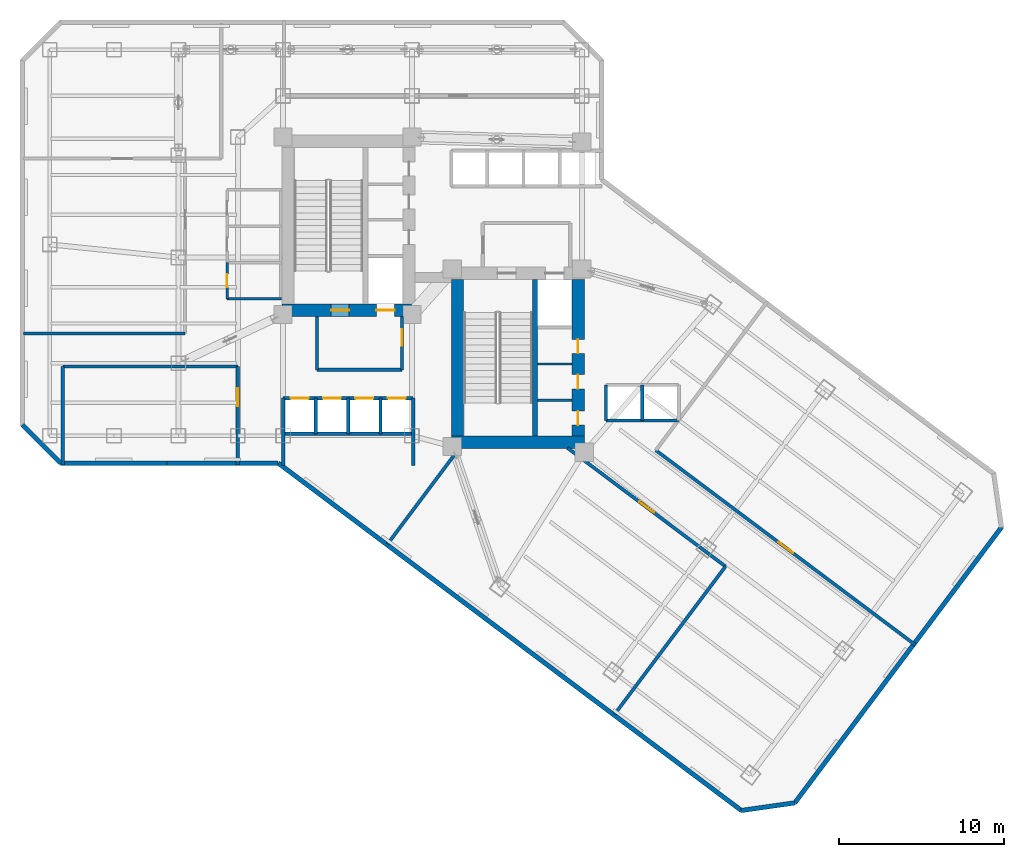
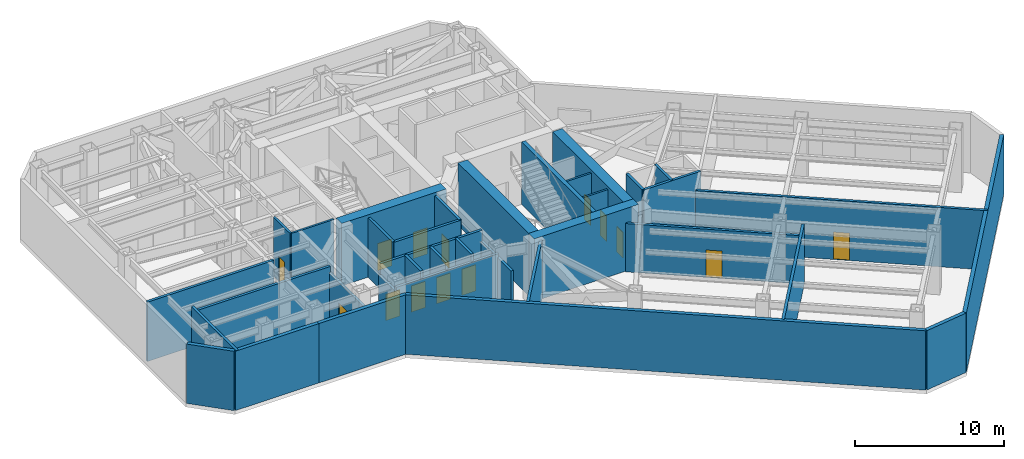
# One storey, part 8 of 14: 36 walls, 14 doors, 14 openings.
"""IFC4 building model written with IfcOpenShell, lengths in metres."""

from ifc_helpers import new_model, si_unit, direction, frame, frame_2d, origin, place, context, subcontext, project, spatial, rectangle, extrude, material, layer, layer_set, type_object, element, fill, save


model = new_model("IFC4")

# Units and contexts
model_context = context("Model", 3, precision=1e-05, world=origin(), true_north=direction((0.0, 1.0)))
body_context = subcontext(model_context, "Body", "Model", "MODEL_VIEW")
ifc_project = project(units=[si_unit("LENGTHUNIT", "METRE"), si_unit("AREAUNIT", "SQUARE_METRE"), si_unit("VOLUMEUNIT", "CUBIC_METRE"), si_unit("PLANEANGLEUNIT", "RADIAN"), si_unit("MASSUNIT", "GRAM", prefix="KILO")], contexts=[model_context])

# Site, building, storey
site_placement = place(None, origin())
site = spatial("IfcSite", under=ifc_project, at=site_placement, CompositionType="ELEMENT")
building_placement = place(site_placement, origin())
building = spatial("IfcBuilding", under=site, at=building_placement, Name="Hatsunagi Terrace Concourse", CompositionType="ELEMENT")
storey_placement = place(building_placement, frame((0.0, 0.0, 91.35009765625)))
storey = spatial("IfcBuildingStorey", under=building, at=storey_placement, Name="L24", CompositionType="ELEMENT", Elevation=91.35009765625)

# Wall, openings, doors
ifc_material_1 = material(Name="Concrete Fc60", Category="concrete")
ifc_layer_1 = layer(ifc_material_1, 0.75)
ifc_layer_set_1 = layer_set([ifc_layer_1], Name="CoreShearWall_Fc60_750")
wall_type_1 = type_object("IfcWallType", Name="CoreShearWall_Fc60_750", PredefinedType="SHEAR", material=ifc_layer_set_1)
wall_1_placement = place(storey_placement, frame((25.469970703125, 32.81494140625, 0.0), z_axis=(0.0, 0.0, 1.0), x_axis=(1.0, 0.0, 0.0)))
wall_1 = element("IfcWall", 1, at=wall_1_placement, inside=storey, type_object=wall_type_1, Name="Core A Shear Wall S L24", PredefinedType="SHEAR", context=body_context, shape_type="SweptSolid", body=[
    extrude(rectangle(XDim=8.080078125, YDim=0.75, at=frame_2d((4.0400390625, 0.0))), origin(), (0.0, 0.0, 1.0), 5.099853515625),
])
opening_1_placement = place(wall_1_placement, frame((2.97998046875, 0.0, 0.0)))
opening_1 = element("IfcOpeningElement", 2, at=opening_1_placement, cuts=wall_1, Name="Opening DR-110S", PredefinedType="OPENING", context=body_context, shape_type="SweptSolid", body=[
    extrude(rectangle(XDim=1.10009765625, YDim=2.199951171875, at=frame_2d((0.550048828125, 1.10009765625))), frame((0.0, 0.385009765625, 0.0), z_axis=(0.0, -1.0, 0.0), x_axis=(1.0, 0.0, 0.0)), (0.0, 0.0, 1.0), 0.77001953125),
])
opening_2_placement = place(wall_1_placement, frame((5.72998046875, 0.0, 0.0)))
opening_2 = element("IfcOpeningElement", 3, at=opening_2_placement, cuts=wall_1, Name="Opening LD-01", PredefinedType="OPENING", context=body_context, shape_type="SweptSolid", body=[
    extrude(rectangle(XDim=1.10009765625, YDim=2.14990234375, at=frame_2d((0.550048828125, 1.074951171875))), frame((0.0, 0.385009765625, 0.0), z_axis=(0.0, -1.0, 0.0), x_axis=(1.0, 0.0, 0.0)), (0.0, 0.0, 1.0), 0.77001953125),
])
ifc_material_2 = material(Name="Stainless steel", Category="steel")
door_type_1 = type_object("IfcDoorType", Name="LiftLandingDoor_LD01", OperationType="SLIDING_TO_LEFT", PredefinedType="USERDEFINED", material=ifc_material_2)
door_1_placement = place(opening_2_placement, origin())
door_1 = element("IfcDoor", 4, at=door_1_placement, inside=storey, type_object=door_type_1, Name="Lift landing door FF-01 L24", ObjectType="SLIDING_LANDING_DOOR", OperationType="SLIDING_TO_LEFT", OverallHeight=2.14990234375, OverallWidth=1.10009765625, PredefinedType="USERDEFINED", context=body_context, shape_type="SweptSolid", body=[
    extrude(rectangle(XDim=1.10009765625, YDim=2.14990234375, at=frame_2d((0.550048828125, 1.074951171875))), frame((0.0, 0.02490234375, 0.0), z_axis=(0.0, -1.0, 0.0), x_axis=(1.0, 0.0, 0.0)), (0.0, 0.0, 1.0), 0.050048828125),
])
fill(opening_2, door_1)
ifc_material_3 = material(Name="Painted steel", Category="steel")
door_type_2 = type_object("IfcDoorType", Name="StairFireDoor_EI60_1100", OperationType="NOTDEFINED", PredefinedType="DOOR", material=ifc_material_3)
door_2_placement = place(opening_1_placement, origin())
door_2 = element("IfcDoor", 5, at=door_2_placement, inside=storey, type_object=door_type_2, Name="Stair ST-A Exit Door L24", OperationType="SINGLE_SWING_LEFT", OverallHeight=2.199951171875, OverallWidth=1.10009765625, PredefinedType="DOOR", context=body_context, shape_type="SweptSolid", body=[
    extrude(rectangle(XDim=1.10009765625, YDim=2.199951171875, at=frame_2d((0.550048828125, 1.10009765625))), frame((0.0, 0.02490234375, 0.0), z_axis=(0.0, -1.0, 0.0), x_axis=(1.0, 0.0, 0.0)), (0.0, 0.0, 1.0), 0.050048828125),
])
fill(opening_1, door_2)

# Walls
wall_2_placement = place(storey_placement, frame((35.739990234375, 24.81494140625, 0.0), z_axis=(0.0, 0.0, 1.0), x_axis=(1.0, 0.0, 0.0)))
element("IfcWall", 6, at=wall_2_placement, inside=storey, type_object=wall_type_1, Name="Core B Shear Wall S L24", PredefinedType="SHEAR", context=body_context, shape_type="SweptSolid", body=[
    extrude(rectangle(XDim=8.06005859375, YDim=0.75, at=frame_2d((4.030029296875, 0.0))), origin(), (0.0, 0.0, 1.0), 5.099853515625),
])
wall_3_placement = place(storey_placement, frame((36.114990234375, 25.18994140625, 0.0), z_axis=(0.0, 0.0, 1.0), x_axis=(0.0, 1.0, 0.0)))
element("IfcWall", 7, at=wall_3_placement, inside=storey, type_object=wall_type_1, Name="Core B Shear Wall W L24", PredefinedType="SHEAR", context=body_context, shape_type="SweptSolid", body=[
    extrude(rectangle(XDim=9.47998046875, YDim=0.75, at=frame_2d((4.739990234375, 0.0))), origin(), (0.0, 0.0, 1.0), 5.099853515625),
])

# Wall, openings, doors
wall_4_placement = place(storey_placement, frame((43.425048828125, 25.18994140625, 0.0), z_axis=(0.0, 0.0, 1.0), x_axis=(0.0, 1.0, 0.0)))
wall_4 = element("IfcWall", 8, at=wall_4_placement, inside=storey, type_object=wall_type_1, Name="Core B Shear Wall E L24", PredefinedType="SHEAR", context=body_context, shape_type="SweptSolid", body=[
    extrude(rectangle(XDim=9.47998046875, YDim=0.75, at=frame_2d((4.739990234375, 0.0))), origin(), (0.0, 0.0, 1.0), 5.099853515625),
])
opening_3_placement = place(wall_4_placement, frame((0.659912109375, 0.0, 0.0)))
opening_3 = element("IfcOpeningElement", 9, at=opening_3_placement, cuts=wall_4, Name="Opening DR-085", PredefinedType="OPENING", context=body_context, shape_type="SweptSolid", body=[
    extrude(rectangle(XDim=0.85009765625, YDim=2.080078125, at=frame_2d((0.425048828125, 1.0400390625))), frame((0.0, 0.385009765625, 0.0), z_axis=(0.0, -1.0, 0.0), x_axis=(1.0, 0.0, 0.0)), (0.0, 0.0, 1.0), 0.77001953125),
])
opening_4_placement = place(wall_4_placement, frame((2.860107421875, 0.0, 0.0)))
opening_4 = element("IfcOpeningElement", 10, at=opening_4_placement, cuts=wall_4, Name="Opening DR-085", PredefinedType="OPENING", context=body_context, shape_type="SweptSolid", body=[
    extrude(rectangle(XDim=0.85009765625, YDim=2.080078125, at=frame_2d((0.425048828125, 1.0400390625))), frame((0.0, 0.385009765625, 0.0), z_axis=(0.0, -1.0, 0.0), x_axis=(1.0, 0.0, 0.0)), (0.0, 0.0, 1.0), 0.77001953125),
])
opening_5_placement = place(wall_4_placement, frame((5.010009765625, 0.0, 0.0)))
opening_5 = element("IfcOpeningElement", 11, at=opening_5_placement, cuts=wall_4, Name="Opening DR-085", PredefinedType="OPENING", context=body_context, shape_type="SweptSolid", body=[
    extrude(rectangle(XDim=0.85009765625, YDim=2.080078125, at=frame_2d((0.425048828125, 1.0400390625))), frame((0.0, 0.385009765625, 0.0), z_axis=(0.0, -1.0, 0.0), x_axis=(1.0, 0.0, 0.0)), (0.0, 0.0, 1.0), 0.77001953125),
])
ifc_material_4 = material(Name="Painted steel", Category="steel")
door_type_3 = type_object("IfcDoorType", Name="RiserAccessDoor_EI60_850", OperationType="NOTDEFINED", PredefinedType="DOOR", material=ifc_material_4)
door_3_placement = place(opening_3_placement, origin())
door_3 = element("IfcDoor", 12, at=door_3_placement, inside=storey, type_object=door_type_3, Name="Core B Riser Door L24-1", OperationType="SINGLE_SWING_RIGHT", OverallHeight=2.080078125, OverallWidth=0.85009765625, PredefinedType="DOOR", context=body_context, shape_type="SweptSolid", body=[
    extrude(rectangle(XDim=0.85009765625, YDim=2.080078125, at=frame_2d((0.425048828125, 1.0400390625))), frame((0.0, 0.02490234375, 0.0), z_axis=(0.0, -1.0, 0.0), x_axis=(1.0, 0.0, 0.0)), (0.0, 0.0, 1.0), 0.050048828125),
])
fill(opening_3, door_3)
door_4_placement = place(opening_4_placement, origin())
door_4 = element("IfcDoor", 13, at=door_4_placement, inside=storey, type_object=door_type_3, Name="Core B Riser Door L24-2", OperationType="SINGLE_SWING_RIGHT", OverallHeight=2.080078125, OverallWidth=0.85009765625, PredefinedType="DOOR", context=body_context, shape_type="SweptSolid", body=[
    extrude(rectangle(XDim=0.85009765625, YDim=2.080078125, at=frame_2d((0.425048828125, 1.0400390625))), frame((0.0, 0.02490234375, 0.0), z_axis=(0.0, -1.0, 0.0), x_axis=(1.0, 0.0, 0.0)), (0.0, 0.0, 1.0), 0.050048828125),
])
fill(opening_4, door_4)
door_5_placement = place(opening_5_placement, origin())
door_5 = element("IfcDoor", 14, at=door_5_placement, inside=storey, type_object=door_type_3, Name="Core B Riser Door L24-3", OperationType="SINGLE_SWING_RIGHT", OverallHeight=2.080078125, OverallWidth=0.85009765625, PredefinedType="DOOR", context=body_context, shape_type="SweptSolid", body=[
    extrude(rectangle(XDim=0.85009765625, YDim=2.080078125, at=frame_2d((0.425048828125, 1.0400390625))), frame((0.0, 0.02490234375, 0.0), z_axis=(0.0, -1.0, 0.0), x_axis=(1.0, 0.0, 0.0)), (0.0, 0.0, 1.0), 0.050048828125),
])
fill(opening_5, door_5)

# Walls
ifc_material_5 = material(Name="Concrete Fc48", Category="concrete")
ifc_layer_2 = layer(ifc_material_5, 0.300048828125)
ifc_layer_set_2 = layer_set([ifc_layer_2], Name="CoreStairDivider_Fc48_300")
wall_type_2 = type_object("IfcWallType", Name="CoreStairDivider_Fc48_300", PredefinedType="SHEAR", material=ifc_layer_set_2)
wall_5_placement = place(storey_placement, frame((40.81005859375, 25.18994140625, 0.0), z_axis=(0.0, 0.0, 1.0), x_axis=(0.0, 1.0, 0.0)))
element("IfcWall", 15, at=wall_5_placement, inside=storey, type_object=wall_type_2, Name="Core B Shear Wall D L24", PredefinedType="SHEAR", context=body_context, shape_type="SweptSolid", body=[
    extrude(rectangle(XDim=9.47998046875, YDim=0.300048828125, at=frame_2d((4.739990234375, 0.0))), origin(), (0.0, 0.0, 1.0), 5.099853515625),
])
ifc_material_6 = material(Name="Acoustic mineral board", Category="gypsum")
ifc_layer_3 = layer(ifc_material_6, 0.14990234375)
ifc_layer_set_3 = layer_set([ifc_layer_3], Name="PartitionWall_EI60_150")
wall_type_3 = type_object("IfcWallType", Name="PartitionWall_EI60_150", PredefinedType="PARTITIONING", material=ifc_layer_set_3)
for number, where, z_axis, x_axis, name in (
    (16, (40.969970703125, 27.35009765625, 0.0), (0.0, 0.0, 1.0), (1.0, 0.0, 0.0), "Interior Partition IW-L24-005"),
    (17, (40.969970703125, 29.550048828125, 0.0), (0.0, 0.0, 1.0), (1.0, 0.0, 0.0), "Interior Partition IW-L24-006"),
):
    element("IfcWall", number, at=place(storey_placement, frame(where, z_axis=z_axis, x_axis=x_axis)), inside=storey, type_object=wall_type_3, Name=name, PredefinedType="PARTITIONING", context=body_context, shape_type="SweptSolid", body=[
        extrude(rectangle(XDim=2.080078125, YDim=0.14990234375, at=frame_2d((1.0400390625, 0.0))), origin(), (0.0, 0.0, 1.0), 4.849853515625),
    ])
wall_6_placement = place(storey_placement, frame((22.14990234375, 33.5, 0.0), z_axis=(0.0, 0.0, 1.0), x_axis=(1.0, 0.0, 0.0)))
element("IfcWall", 18, at=wall_6_placement, inside=storey, type_object=wall_type_3, Name="Interior Partition IW-L24-031", PredefinedType="PARTITIONING", context=body_context, shape_type="SweptSolid", body=[
    extrude(rectangle(XDim=3.300048828125, YDim=0.14990234375, at=frame_2d((1.64990234375, 0.0))), origin(), (0.0, 0.0, 1.0), 4.849853515625),
])

# Wall, opening, door
wall_7_placement = place(storey_placement, frame((22.14990234375, 33.5, 0.0), z_axis=(0.0, 0.0, 1.0), x_axis=(0.0, 1.0, 0.0)))
wall_7 = element("IfcWall", 19, at=wall_7_placement, inside=storey, type_object=wall_type_3, Name="Interior Partition IW-L24-036", PredefinedType="PARTITIONING", context=body_context, shape_type="SweptSolid", body=[
    extrude(rectangle(XDim=2.199951171875, YDim=0.14990234375, at=frame_2d((1.10009765625, 0.0))), origin(), (0.0, 0.0, 1.0), 4.849853515625),
])
opening_6_placement = place(wall_7_placement, frame((0.699951171875, 0.0, 0.0)))
opening_6 = element("IfcOpeningElement", 20, at=opening_6_placement, cuts=wall_7, Name="Opening DR-080", PredefinedType="OPENING", context=body_context, shape_type="SweptSolid", body=[
    extrude(rectangle(XDim=0.800048828125, YDim=2.06005859375, at=frame_2d((0.39990234375, 1.030029296875))), frame((0.0, 0.0849609375, 0.0), z_axis=(0.0, -1.0, 0.0), x_axis=(1.0, 0.0, 0.0)), (0.0, 0.0, 1.0), 0.169921875),
])
ifc_material_7 = material(Name="Hardwood timber", Category="wood")
door_type_4 = type_object("IfcDoorType", Name="BathroomDoor_800", OperationType="NOTDEFINED", PredefinedType="DOOR", material=ifc_material_7)
door_6_placement = place(opening_6_placement, origin())
door_6 = element("IfcDoor", 21, at=door_6_placement, inside=storey, type_object=door_type_4, Name="Accessible WC Door L24", OperationType="SINGLE_SWING_RIGHT", OverallHeight=2.06005859375, OverallWidth=0.800048828125, PredefinedType="DOOR", context=body_context, shape_type="SweptSolid", body=[
    extrude(rectangle(XDim=0.800048828125, YDim=2.06005859375, at=frame_2d((0.39990234375, 1.030029296875))), frame((0.0, 0.02490234375, 0.0), z_axis=(0.0, -1.0, 0.0), x_axis=(1.0, 0.0, 0.0)), (0.0, 0.0, 1.0), 0.050048828125),
])
fill(opening_6, door_6)

# Walls
ifc_material_8 = material(Name="Acoustic mineral board", Category="gypsum")
ifc_layer_4 = layer(ifc_material_8, 0.199951171875)
ifc_layer_set_4 = layer_set([ifc_layer_4], Name="ShaftWall_EI120_200")
wall_type_4 = type_object("IfcWallType", Name="ShaftWall_EI120_200", PredefinedType="STANDARD", material=ifc_layer_set_4)
wall_8_placement = place(storey_placement, frame((27.60009765625, 29.199951171875, 0.0), z_axis=(0.0, 0.0, 1.0), x_axis=(1.0, 0.0, 0.0)))
element("IfcWall", 22, at=wall_8_placement, inside=storey, type_object=wall_type_4, Name="Interior Partition IW-L24-007", PredefinedType="STANDARD", context=body_context, shape_type="SweptSolid", body=[
    extrude(rectangle(XDim=5.14990234375, YDim=0.199951171875, at=frame_2d((2.574951171875, 0.0))), origin(), (0.0, 0.0, 1.0), 4.849853515625),
])
wall_9_placement = place(storey_placement, frame((27.60009765625, 29.199951171875, 0.0), z_axis=(0.0, 0.0, 1.0), x_axis=(0.0, 1.0, 0.0)))
element("IfcWall", 23, at=wall_9_placement, inside=storey, type_object=wall_type_4, Name="Interior Partition IW-L24-008", PredefinedType="STANDARD", context=body_context, shape_type="SweptSolid", body=[
    extrude(rectangle(XDim=3.239990234375, YDim=0.199951171875, at=frame_2d((1.6201171875, 0.0))), origin(), (0.0, 0.0, 1.0), 4.849853515625),
])

# Wall, opening, door
wall_10_placement = place(storey_placement, frame((32.75, 29.199951171875, 0.0), z_axis=(0.0, 0.0, 1.0), x_axis=(0.0, 1.0, 0.0)))
wall_10 = element("IfcWall", 24, at=wall_10_placement, inside=storey, type_object=wall_type_4, Name="Interior Partition IW-L24-009", PredefinedType="STANDARD", context=body_context, shape_type="SweptSolid", body=[
    extrude(rectangle(XDim=3.239990234375, YDim=0.199951171875, at=frame_2d((1.6201171875, 0.0))), origin(), (0.0, 0.0, 1.0), 4.849853515625),
])
opening_7_placement = place(wall_10_placement, frame((1.449951171875, 0.0, 0.0)))
opening_7 = element("IfcOpeningElement", 25, at=opening_7_placement, cuts=wall_10, Name="Opening DR-100F", PredefinedType="OPENING", context=body_context, shape_type="SweptSolid", body=[
    extrude(rectangle(XDim=1.0, YDim=2.199951171875, at=frame_2d((0.5, 1.10009765625))), frame((0.0, 0.10986328125, 0.0), z_axis=(0.0, -1.0, 0.0), x_axis=(1.0, 0.0, 0.0)), (0.0, 0.0, 1.0), 0.219970703125),
])
ifc_material_9 = material(Name="Painted steel", Category="steel")
door_type_5 = type_object("IfcDoorType", Name="FireDoor_EI60_1000", OperationType="NOTDEFINED", PredefinedType="DOOR", material=ifc_material_9)
door_7_placement = place(opening_7_placement, origin())
door_7 = element("IfcDoor", 26, at=door_7_placement, inside=storey, type_object=door_type_5, Name="Firefighting Lobby A Door L24", OperationType="SINGLE_SWING_RIGHT", OverallHeight=2.199951171875, OverallWidth=1.0, PredefinedType="DOOR", context=body_context, shape_type="SweptSolid", body=[
    extrude(rectangle(XDim=1.0, YDim=2.199951171875, at=frame_2d((0.5, 1.10009765625))), frame((0.0, 0.02490234375, 0.0), z_axis=(0.0, -1.0, 0.0), x_axis=(1.0, 0.0, 0.0)), (0.0, 0.0, 1.0), 0.050048828125),
])
fill(opening_7, door_7)

# Walls
for number, where, z_axis, x_axis, name in (
    (27, (25.550048828125, 23.39990234375, 0.0), (0.0, 0.0, 1.0), (0.0, 1.0, 0.0), "Interior Partition IW-L24-013"),
    (28, (33.429931640625, 23.39990234375, 0.0), (0.0, 0.0, 1.0), (0.0, 1.0, 0.0), "Interior Partition IW-L24-014"),
):
    element("IfcWall", number, at=place(storey_placement, frame(where, z_axis=z_axis, x_axis=x_axis)), inside=storey, type_object=wall_type_4, Name=name, PredefinedType="STANDARD", context=body_context, shape_type="SweptSolid", body=[
        extrude(rectangle(XDim=4.080078125, YDim=0.199951171875, at=frame_2d((2.0400390625, 0.0))), origin(), (0.0, 0.0, 1.0), 3.94482421875),
    ])
wall_11_placement = place(storey_placement, frame((25.550048828125, 25.320068359375, 0.0), z_axis=(0.0, 0.0, 1.0), x_axis=(1.0, 0.0, 0.0)))
element("IfcWall", 29, at=wall_11_placement, inside=storey, type_object=wall_type_4, Name="Interior Partition IW-L24-015", PredefinedType="STANDARD", context=body_context, shape_type="SweptSolid", body=[
    extrude(rectangle(XDim=7.8798828125, YDim=0.199951171875, at=frame_2d((3.93994140625, 0.0))), origin(), (0.0, 0.0, 1.0), 4.244873046875),
])
for number, where, z_axis, x_axis, name in (
    (30, (27.530029296875, 25.320068359375, 0.0), (0.0, 0.0, 1.0), (0.0, 1.0, 0.0), "Interior Partition IW-L24-016"),
    (31, (29.489990234375, 25.320068359375, 0.0), (0.0, 0.0, 1.0), (0.0, 1.0, 0.0), "Interior Partition IW-L24-017"),
    (32, (31.449951171875, 25.320068359375, 0.0), (0.0, 0.0, 1.0), (0.0, 1.0, 0.0), "Interior Partition IW-L24-018"),
):
    element("IfcWall", number, at=place(storey_placement, frame(where, z_axis=z_axis, x_axis=x_axis)), inside=storey, type_object=wall_type_4, Name=name, PredefinedType="STANDARD", context=body_context, shape_type="SweptSolid", body=[
        extrude(rectangle(XDim=2.159912109375, YDim=0.199951171875, at=frame_2d((1.080078125, 0.0))), origin(), (0.0, 0.0, 1.0), 4.849853515625),
    ])

# Wall, openings, doors
wall_12_placement = place(storey_placement, frame((25.550048828125, 27.47998046875, 0.0), z_axis=(0.0, 0.0, 1.0), x_axis=(1.0, 0.0, 0.0)))
wall_12 = element("IfcWall", 33, at=wall_12_placement, inside=storey, type_object=wall_type_4, Name="Interior Partition IW-L24-019", PredefinedType="STANDARD", context=body_context, shape_type="SweptSolid", body=[
    extrude(rectangle(XDim=7.8798828125, YDim=0.199951171875, at=frame_2d((3.93994140625, 0.0))), origin(), (0.0, 0.0, 1.0), 4.849853515625),
])
opening_8_placement = place(wall_12_placement, frame((0.4599609375, 0.0, 0.0)))
opening_8 = element("IfcOpeningElement", 34, at=opening_8_placement, cuts=wall_12, Name="Opening LD-03", PredefinedType="OPENING", context=body_context, shape_type="SweptSolid", body=[
    extrude(rectangle(XDim=1.080078125, YDim=2.14990234375, at=frame_2d((0.5400390625, 1.074951171875))), frame((0.0, 0.10986328125, 0.0), z_axis=(0.0, -1.0, 0.0), x_axis=(1.0, 0.0, 0.0)), (0.0, 0.0, 1.0), 0.219970703125),
])
opening_9_placement = place(wall_12_placement, frame((2.419921875, 0.0, 0.0)))
opening_9 = element("IfcOpeningElement", 35, at=opening_9_placement, cuts=wall_12, Name="Opening LD-03", PredefinedType="OPENING", context=body_context, shape_type="SweptSolid", body=[
    extrude(rectangle(XDim=1.080078125, YDim=2.14990234375, at=frame_2d((0.5400390625, 1.074951171875))), frame((0.0, 0.10986328125, 0.0), z_axis=(0.0, -1.0, 0.0), x_axis=(1.0, 0.0, 0.0)), (0.0, 0.0, 1.0), 0.219970703125),
])
opening_10_placement = place(wall_12_placement, frame((4.3798828125, 0.0, 0.0)))
opening_10 = element("IfcOpeningElement", 36, at=opening_10_placement, cuts=wall_12, Name="Opening LD-03", PredefinedType="OPENING", context=body_context, shape_type="SweptSolid", body=[
    extrude(rectangle(XDim=1.080078125, YDim=2.14990234375, at=frame_2d((0.5400390625, 1.074951171875))), frame((0.0, 0.10986328125, 0.0), z_axis=(0.0, -1.0, 0.0), x_axis=(1.0, 0.0, 0.0)), (0.0, 0.0, 1.0), 0.219970703125),
])
opening_11_placement = place(wall_12_placement, frame((6.340087890625, 0.0, 0.0)))
opening_11 = element("IfcOpeningElement", 37, at=opening_11_placement, cuts=wall_12, Name="Opening LD-03", PredefinedType="OPENING", context=body_context, shape_type="SweptSolid", body=[
    extrude(rectangle(XDim=1.080078125, YDim=2.14990234375, at=frame_2d((0.5400390625, 1.074951171875))), frame((0.0, 0.10986328125, 0.0), z_axis=(0.0, -1.0, 0.0), x_axis=(1.0, 0.0, 0.0)), (0.0, 0.0, 1.0), 0.219970703125),
])
ifc_material_10 = material(Name="Stainless steel", Category="steel")
door_type_6 = type_object("IfcDoorType", Name="LiftLandingDoor_LD03", OperationType="SLIDING_TO_LEFT", PredefinedType="USERDEFINED", material=ifc_material_10)
door_8_placement = place(opening_8_placement, origin())
door_8 = element("IfcDoor", 38, at=door_8_placement, inside=storey, type_object=door_type_6, Name="Lift landing door PL-01 L24", ObjectType="SLIDING_LANDING_DOOR", OperationType="SLIDING_TO_LEFT", OverallHeight=2.14990234375, OverallWidth=1.080078125, PredefinedType="USERDEFINED", context=body_context, shape_type="SweptSolid", body=[
    extrude(rectangle(XDim=1.080078125, YDim=2.14990234375, at=frame_2d((0.5400390625, 1.074951171875))), frame((0.0, 0.02490234375, 0.0), z_axis=(0.0, -1.0, 0.0), x_axis=(1.0, 0.0, 0.0)), (0.0, 0.0, 1.0), 0.050048828125),
])
fill(opening_8, door_8)
door_9_placement = place(opening_9_placement, origin())
door_9 = element("IfcDoor", 39, at=door_9_placement, inside=storey, type_object=door_type_6, Name="Lift landing door PL-02 L24", ObjectType="SLIDING_LANDING_DOOR", OperationType="SLIDING_TO_LEFT", OverallHeight=2.14990234375, OverallWidth=1.080078125, PredefinedType="USERDEFINED", context=body_context, shape_type="SweptSolid", body=[
    extrude(rectangle(XDim=1.080078125, YDim=2.14990234375, at=frame_2d((0.5400390625, 1.074951171875))), frame((0.0, 0.02490234375, 0.0), z_axis=(0.0, -1.0, 0.0), x_axis=(1.0, 0.0, 0.0)), (0.0, 0.0, 1.0), 0.050048828125),
])
fill(opening_9, door_9)
door_10_placement = place(opening_10_placement, origin())
door_10 = element("IfcDoor", 40, at=door_10_placement, inside=storey, type_object=door_type_6, Name="Lift landing door PL-03 L24", ObjectType="SLIDING_LANDING_DOOR", OperationType="SLIDING_TO_LEFT", OverallHeight=2.14990234375, OverallWidth=1.080078125, PredefinedType="USERDEFINED", context=body_context, shape_type="SweptSolid", body=[
    extrude(rectangle(XDim=1.080078125, YDim=2.14990234375, at=frame_2d((0.5400390625, 1.074951171875))), frame((0.0, 0.02490234375, 0.0), z_axis=(0.0, -1.0, 0.0), x_axis=(1.0, 0.0, 0.0)), (0.0, 0.0, 1.0), 0.050048828125),
])
fill(opening_10, door_10)
door_11_placement = place(opening_11_placement, origin())
door_11 = element("IfcDoor", 41, at=door_11_placement, inside=storey, type_object=door_type_6, Name="Lift landing door PL-04 L24", ObjectType="SLIDING_LANDING_DOOR", OperationType="SLIDING_TO_LEFT", OverallHeight=2.14990234375, OverallWidth=1.080078125, PredefinedType="USERDEFINED", context=body_context, shape_type="SweptSolid", body=[
    extrude(rectangle(XDim=1.080078125, YDim=2.14990234375, at=frame_2d((0.5400390625, 1.074951171875))), frame((0.0, 0.02490234375, 0.0), z_axis=(0.0, -1.0, 0.0), x_axis=(1.0, 0.0, 0.0)), (0.0, 0.0, 1.0), 0.050048828125),
])
fill(opening_11, door_11)

# Walls
wall_13_placement = place(storey_placement, frame((45.1201171875, 26.1201171875, 0.0), z_axis=(0.0, 0.0, 1.0), x_axis=(1.0, 0.0, 0.0)))
element("IfcWall", 42, at=wall_13_placement, inside=storey, type_object=wall_type_4, Name="Interior Partition IW-L24-026", PredefinedType="STANDARD", context=body_context, shape_type="SweptSolid", body=[
    extrude(rectangle(XDim=4.39990234375, YDim=0.199951171875, at=frame_2d((2.199951171875, 0.0))), origin(), (0.0, 0.0, 1.0), 4.849853515625),
])
for number, where, z_axis, x_axis, name in (
    (43, (45.1201171875, 26.1201171875, 0.0), (0.0, 0.0, 1.0), (0.0, 1.0, 0.0), "Interior Partition IW-L24-027"),
    (44, (47.320068359375, 26.1201171875, 0.0), (0.0, 0.0, 1.0), (0.0, 1.0, 0.0), "Interior Partition IW-L24-029"),
):
    element("IfcWall", number, at=place(storey_placement, frame(where, z_axis=z_axis, x_axis=x_axis)), inside=storey, type_object=wall_type_4, Name=name, PredefinedType="STANDARD", context=body_context, shape_type="SweptSolid", body=[
        extrude(rectangle(XDim=2.159912109375, YDim=0.199951171875, at=frame_2d((1.080078125, 0.0))), origin(), (0.0, 0.0, 1.0), 4.849853515625),
    ])
wall_14_placement = place(storey_placement, frame((12.199951171875, 29.39990234375, 0.0), z_axis=(0.0, 0.0, 1.0), x_axis=(1.0, 0.0, 0.0)))
element("IfcWall", 45, at=wall_14_placement, inside=storey, type_object=wall_type_4, Name="Interior Partition IW-L24-039", PredefinedType="STANDARD", context=body_context, shape_type="SweptSolid", body=[
    extrude(rectangle(XDim=10.60009765625, YDim=0.199951171875, at=frame_2d((5.300048828125, 0.0))), origin(), (0.0, 0.0, 1.0), 4.44482421875),
])
wall_15_placement = place(storey_placement, frame((12.199951171875, 23.43994140625, 0.0), z_axis=(0.0, 0.0, 1.0), x_axis=(0.0, 1.0, 0.0)))
element("IfcWall", 46, at=wall_15_placement, inside=storey, type_object=wall_type_4, Name="Interior Partition IW-L24-040", PredefinedType="STANDARD", context=body_context, shape_type="SweptSolid", body=[
    extrude(rectangle(XDim=5.9599609375, YDim=0.199951171875, at=frame_2d((2.97998046875, 0.0))), origin(), (0.0, 0.0, 1.0), 4.849853515625),
])

# Wall, opening, door
wall_16_placement = place(storey_placement, frame((22.800048828125, 23.43994140625, 0.0), z_axis=(0.0, 0.0, 1.0), x_axis=(0.0, 1.0, 0.0)))
wall_16 = element("IfcWall", 47, at=wall_16_placement, inside=storey, type_object=wall_type_4, Name="Interior Partition IW-L24-041", PredefinedType="STANDARD", context=body_context, shape_type="SweptSolid", body=[
    extrude(rectangle(XDim=5.9599609375, YDim=0.199951171875, at=frame_2d((2.97998046875, 0.0))), origin(), (0.0, 0.0, 1.0), 3.94482421875),
])
opening_12_placement = place(wall_16_placement, frame((3.537109375, 0.0, 0.0)))
opening_12 = element("IfcOpeningElement", 48, at=opening_12_placement, cuts=wall_16, Name="Opening DR-110F", PredefinedType="OPENING", context=body_context, shape_type="SweptSolid", body=[
    extrude(rectangle(XDim=1.10009765625, YDim=2.239990234375, at=frame_2d((0.550048828125, 1.1201171875))), frame((0.0, 0.10986328125, 0.0), z_axis=(0.0, -1.0, 0.0), x_axis=(1.0, 0.0, 0.0)), (0.0, 0.0, 1.0), 0.219970703125),
])
ifc_material_11 = material(Name="Painted steel", Category="steel")
door_type_7 = type_object("IfcDoorType", Name="FireDoor_EI60_1100", OperationType="NOTDEFINED", PredefinedType="DOOR", material=ifc_material_11)
door_12_placement = place(opening_12_placement, origin())
door_12 = element("IfcDoor", 49, at=door_12_placement, inside=storey, type_object=door_type_7, Name="Refuge Area L24-REF1 Door", OperationType="SINGLE_SWING_LEFT", OverallHeight=2.239990234375, OverallWidth=1.10009765625, PredefinedType="DOOR", context=body_context, shape_type="SweptSolid", body=[
    extrude(rectangle(XDim=1.10009765625, YDim=2.239990234375, at=frame_2d((0.550048828125, 1.1201171875))), frame((0.0, 0.02490234375, 0.0), z_axis=(0.0, -1.0, 0.0), x_axis=(1.0, 0.0, 0.0)), (0.0, 0.0, 1.0), 0.050048828125),
])
fill(opening_12, door_12)

wall_17_placement = place(storey_placement, frame((48.139892578125, 24.320068359375, 0.0), z_axis=(0.0, 0.0, 1.0), x_axis=(0.799997019653, -0.600003973776, 0.0)))
wall_17 = element("IfcWall", 50, at=wall_17_placement, inside=storey, type_object=wall_type_4, Name="Interior Partition IW-L24-042", PredefinedType="STANDARD", context=body_context, shape_type="SweptSolid", body=[
    extrude(rectangle(XDim=19.66015625, YDim=0.199951171875, at=frame_2d((9.830078125, 0.0))), origin(), (0.0, 0.0, 1.0), 4.849853515625),
])
opening_13_placement = place(wall_17_placement, frame((9.280029296875, 0.0, 0.0)))
opening_13 = element("IfcOpeningElement", 51, at=opening_13_placement, cuts=wall_17, Name="Opening DR-110F", PredefinedType="OPENING", context=body_context, shape_type="SweptSolid", body=[
    extrude(rectangle(XDim=1.10009765625, YDim=2.239990234375, at=frame_2d((0.550048828125, 1.1201171875))), frame((0.0, 0.10986328125, 0.0), z_axis=(0.0, -1.0, 0.0), x_axis=(1.0, 0.0, 0.0)), (0.0, 0.0, 1.0), 0.219970703125),
])
door_13_placement = place(opening_13_placement, origin())
door_13 = element("IfcDoor", 52, at=door_13_placement, inside=storey, type_object=door_type_7, Name="Refuge Area L24-REF2 Door", OperationType="SINGLE_SWING_LEFT", OverallHeight=2.239990234375, OverallWidth=1.10009765625, PredefinedType="DOOR", context=body_context, shape_type="SweptSolid", body=[
    extrude(rectangle(XDim=1.10009765625, YDim=2.239990234375, at=frame_2d((0.550048828125, 1.1201171875))), frame((0.0, 0.02490234375, 0.0), z_axis=(0.0, -1.0, 0.0), x_axis=(1.0, 0.0, 0.0)), (0.0, 0.0, 1.0), 0.050048828125),
])
fill(opening_13, door_13)

wall_18_placement = place(storey_placement, frame((42.787109375, 24.4599609375, 0.0), z_axis=(0.0, 0.0, 1.0), x_axis=(0.79999265513, -0.600009793035, 0.0)))
wall_18 = element("IfcWall", 53, at=wall_18_placement, inside=storey, type_object=wall_type_4, Name="Interior Partition IW-L24-048", PredefinedType="STANDARD", context=body_context, shape_type="SweptSolid", body=[
    extrude(rectangle(XDim=11.96630859375, YDim=0.199951171875, at=frame_2d((5.983154296875, 0.0))), origin(), (0.0, 0.0, 1.0), 3.94482421875),
])
opening_14_placement = place(wall_18_placement, frame((5.43310546875, 0.0, 0.0)))
opening_14 = element("IfcOpeningElement", 54, at=opening_14_placement, cuts=wall_18, Name="Opening DR-110F", PredefinedType="OPENING", context=body_context, shape_type="SweptSolid", body=[
    extrude(rectangle(XDim=1.10009765625, YDim=2.239990234375, at=frame_2d((0.550048828125, 1.1201171875))), frame((0.0, 0.10986328125, 0.0), z_axis=(0.0, -1.0, 0.0), x_axis=(1.0, 0.0, 0.0)), (0.0, 0.0, 1.0), 0.219970703125),
])
door_14_placement = place(opening_14_placement, origin())
door_14 = element("IfcDoor", 55, at=door_14_placement, inside=storey, type_object=door_type_7, Name="Chiller Heat Exchanger Room L24-HEX Door", OperationType="SINGLE_SWING_RIGHT", OverallHeight=2.239990234375, OverallWidth=1.10009765625, PredefinedType="DOOR", context=body_context, shape_type="SweptSolid", body=[
    extrude(rectangle(XDim=1.10009765625, YDim=2.239990234375, at=frame_2d((0.550048828125, 1.1201171875))), frame((0.0, 0.02490234375, 0.0), z_axis=(0.0, -1.0, 0.0), x_axis=(1.0, 0.0, 0.0)), (0.0, 0.0, 1.0), 0.050048828125),
])
fill(opening_14, door_14)

# Walls
wall_19_placement = place(storey_placement, frame((31.8798828125, 18.639892578125, 0.0), z_axis=(0.0, 0.0, 1.0), x_axis=(0.600016107693, 0.799987918977, 0.0)))
element("IfcWall", 56, at=wall_19_placement, inside=storey, type_object=wall_type_4, Name="Interior Partition IW-L24-049", PredefinedType="STANDARD", context=body_context, shape_type="SweptSolid", body=[
    extrude(rectangle(XDim=7.275146484375, YDim=0.199951171875, at=frame_2d((3.6376953125, 0.0))), origin(), (0.0, 0.0, 1.0), 4.849853515625),
])
wall_20_placement = place(storey_placement, frame((45.639892578125, 8.320068359375, 0.0), z_axis=(0.0, 0.0, 1.0), x_axis=(0.60001395068, 0.7999895368, 0.0)))
element("IfcWall", 57, at=wall_20_placement, inside=storey, type_object=wall_type_4, Name="Interior Partition IW-L24-050", PredefinedType="STANDARD", context=body_context, shape_type="SweptSolid", body=[
    extrude(rectangle(XDim=11.2001953125, YDim=0.199951171875, at=frame_2d((5.60009765625, 0.0))), origin(), (0.0, 0.0, 1.0), 4.849853515625),
])
wall_21_placement = place(storey_placement, frame((9.800048828125, 31.39990234375, 0.0), z_axis=(0.0, 0.0, 1.0), x_axis=(1.0, 0.0, 0.0)))
element("IfcWall", 58, at=wall_21_placement, inside=storey, type_object=wall_type_4, Name="Interior Partition IW-L24-051", PredefinedType="STANDARD", context=body_context, shape_type="SweptSolid", body=[
    extrude(rectangle(XDim=9.800048828125, YDim=0.199951171875, at=frame_2d((4.89990234375, 0.0))), origin(), (0.0, 0.0, 1.0), 4.849853515625),
])
ifc_material_12 = material(Name="Autoclaved Lightweight Concrete and Terracotta Cladding", Category="masonry")
ifc_layer_5 = layer(ifc_material_12, 0.280029296875)
ifc_layer_set_5 = layer_set([ifc_layer_5], Name="TerracottaSpandrelWall_280")
wall_type_5 = type_object("IfcWallType", Name="TerracottaSpandrelWall_280", PredefinedType="STANDARD", material=ifc_layer_set_5)
wall_22_placement = place(storey_placement, frame((69.093017578125, 19.657958984375, 0.0), z_axis=(0.0, 0.0, 1.0), x_axis=(-0.599970072971, -0.800022444397, 0.0)))
element("IfcWall", 59, at=wall_22_placement, inside=storey, type_object=wall_type_5, Name="Exterior Spandrel Wall EW-L24-03", PredefinedType="STANDARD", context=body_context, shape_type="SweptSolid", body=[
    extrude(rectangle(XDim=20.884521484375, YDim=0.280029296875, at=frame_2d((10.4423828125, 0.0))), origin(), (0.0, 0.0, 1.0), 4.849853515625),
])
wall_23_placement = place(storey_placement, frame((56.56298828125, 2.949951171875, 0.0), z_axis=(0.0, 0.0, 1.0), x_axis=(-0.989977778067, -0.141223223777, 0.0)))
element("IfcWall", 60, at=wall_23_placement, inside=storey, type_object=wall_type_5, Name="Exterior Spandrel Wall EW-L24-04", PredefinedType="STANDARD", context=body_context, shape_type="SweptSolid", body=[
    extrude(rectangle(XDim=3.27783203125, YDim=0.280029296875, at=frame_2d((1.638916015625, 0.0))), origin(), (0.0, 0.0, 1.0), 4.849853515625),
])
wall_24_placement = place(storey_placement, frame((53.318115234375, 2.487060546875, 0.0), z_axis=(0.0, 0.0, 1.0), x_axis=(-0.800004174678, 0.599994433723, 0.0)))
element("IfcWall", 61, at=wall_24_placement, inside=storey, type_object=wall_type_5, Name="Exterior Spandrel Wall EW-L24-05", PredefinedType="STANDARD", context=body_context, shape_type="SweptSolid", body=[
    extrude(rectangle(XDim=35.088623046875, YDim=0.280029296875, at=frame_2d((17.54443359375, 0.0))), origin(), (0.0, 0.0, 1.0), 4.849853515625),
])
wall_25_placement = place(storey_placement, frame((25.2470703125, 23.5400390625, 0.0), z_axis=(0.0, 0.0, 1.0), x_axis=(-1.0, 0.0, 0.0)))
element("IfcWall", 62, at=wall_25_placement, inside=storey, type_object=wall_type_5, Name="Exterior Spandrel Wall EW-L24-06", PredefinedType="STANDARD", context=body_context, shape_type="SweptSolid", body=[
    extrude(rectangle(XDim=6.7470703125, YDim=0.280029296875, at=frame_2d((3.37353515625, 0.0))), origin(), (0.0, 0.0, 1.0), 4.849853515625),
])
wall_26_placement = place(storey_placement, frame((18.5, 23.5400390625, 0.0), z_axis=(0.0, 0.0, 1.0), x_axis=(-1.0, 0.0, 0.0)))
element("IfcWall", 63, at=wall_26_placement, inside=storey, type_object=wall_type_5, Name="Exterior Spandrel Wall EW-L24-07", PredefinedType="STANDARD", context=body_context, shape_type="SweptSolid", body=[
    extrude(rectangle(XDim=6.44189453125, YDim=0.280029296875, at=frame_2d((3.220947265625, 0.0))), origin(), (0.0, 0.0, 1.0), 4.849853515625),
])
wall_27_placement = place(storey_placement, frame((12.05810546875, 23.5400390625, 0.0), z_axis=(0.0, 0.0, 1.0), x_axis=(-0.707144017911, 0.707069542501, 0.0)))
element("IfcWall", 64, at=wall_27_placement, inside=storey, type_object=wall_type_5, Name="Exterior Spandrel Wall EW-L24-08", PredefinedType="STANDARD", context=body_context, shape_type="SweptSolid", body=[
    extrude(rectangle(XDim=3.278076171875, YDim=0.280029296875, at=frame_2d((1.63916015625, 0.0))), origin(), (0.0, 0.0, 1.0), 4.849853515625),
])

save(model, "model.ifc")
